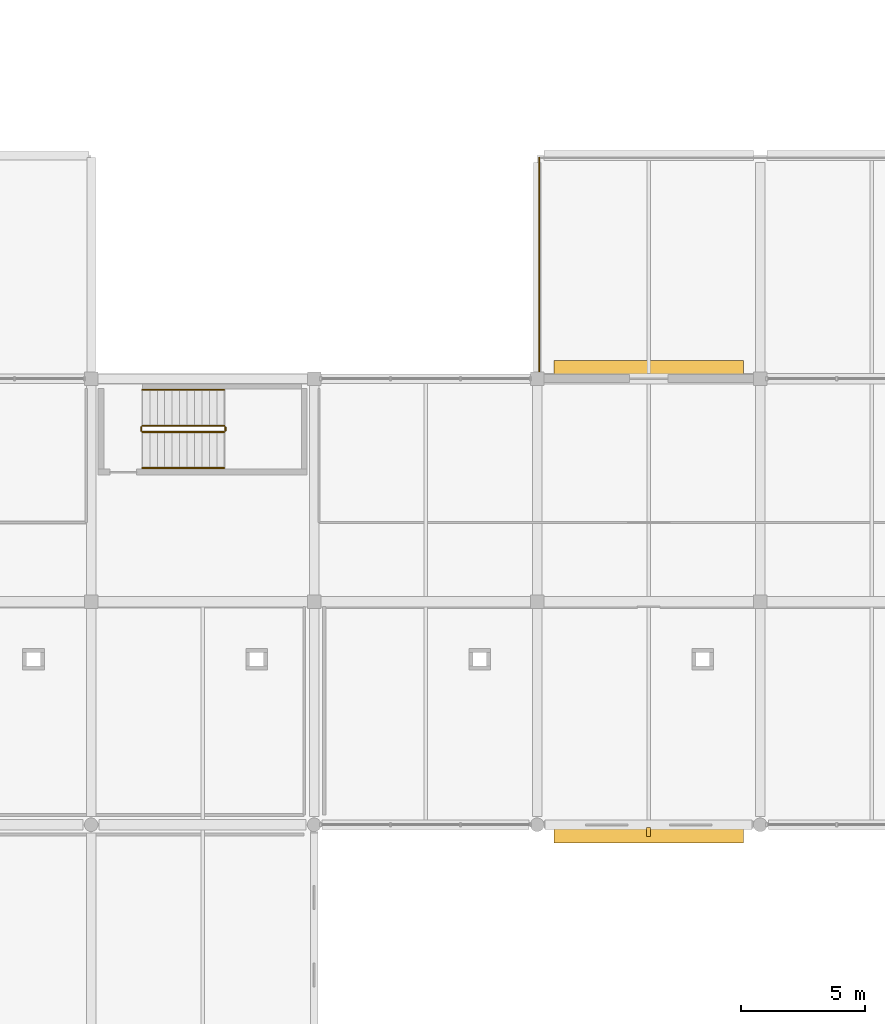
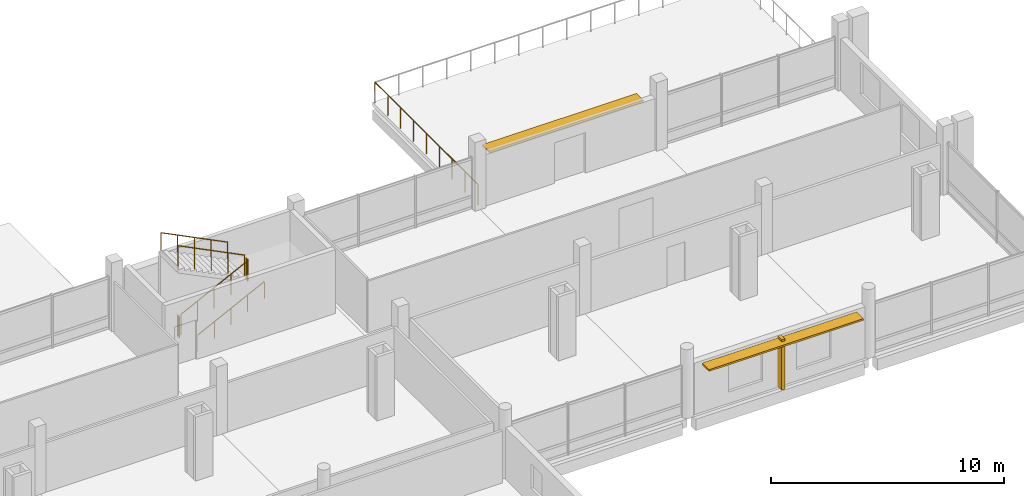
# One storey, part 128 of 132: 7 railings, 3 shading devices.
"""IFC4 building model written with IfcOpenShell, lengths in metres."""

import ifcopenshell
import ifcopenshell.guid

model = None  # the IFC model being written
_history = None  # IfcOwnerHistory: only IFC2X3 demands one
_inside = {}  # id of a spatial element -> (the spatial element, [elements in it])
_under = {}  # id of a project, library or spatial element -> (it, [spatial elements below it])
_declared = {}  # id of a project -> (the project, [libraries it declares])
_typed = {}  # id of a type object -> (the type object, [elements of that type])
_made_of = {}  # id of a material, layer set ... -> (it, [elements and type objects made of it])


def new_model(schema):
    """Start an empty IFC model of exactly this schema.

    Asked for "IFC4X3", IfcOpenShell would pick the latest addendum, in which some entities
    have other attributes; the version numbers below select the first issue.
    IFC2X3 requires an IfcOwnerHistory on every rooted entity: one is made here for all.
    """
    global model, _history
    if schema == "IFC4X3":
        model = ifcopenshell.file(schema_version=(4, 3, 0, 0))
    else:
        model = ifcopenshell.file(schema=schema)
    _inside.clear()
    _under.clear()
    _declared.clear()
    _typed.clear()
    _made_of.clear()
    _history = None
    if model.schema == "IFC2X3":
        org = make("IfcOrganization", Name="unknown")
        user = make(
            "IfcPersonAndOrganization",
            ThePerson=make("IfcPerson", FamilyName="unknown"),
            TheOrganization=org,
        )
        app = make(
            "IfcApplication",
            ApplicationDeveloper=org,
            Version="unknown",
            ApplicationFullName="unknown",
            ApplicationIdentifier="unknown",
        )
        _history = make(
            "IfcOwnerHistory",
            OwningUser=user,
            OwningApplication=app,
            ChangeAction="ADDED",
            CreationDate=0,
        )
    return model


def make(cls, **values):
    """One entity of the class cls with the attributes given. An attribute that is None is left unset."""
    return model.create_entity(
        cls, **{name: value for name, value in values.items() if value is not None}
    )


def rooted(cls, **values):
    """An entity with a GlobalId (a new one), such as an element, a storey or a relation."""
    return make(cls, GlobalId=ifcopenshell.guid.new(), OwnerHistory=_history, **values)


def si_unit(unit_type, name, prefix=None):
    """IfcSIUnit, for example si_unit("LENGTHUNIT", "METRE", prefix="MILLI")."""
    return make("IfcSIUnit", UnitType=unit_type, Prefix=prefix, Name=name)


def assignment(units):
    """IfcUnitAssignment: the units of a project."""
    return None if units is None else make("IfcUnitAssignment", Units=units)


def point(xyz):
    """IfcCartesianPoint."""
    return None if xyz is None else make("IfcCartesianPoint", Coordinates=xyz)


def direction(xyz):
    """IfcDirection."""
    return None if xyz is None else make("IfcDirection", DirectionRatios=xyz)


def frame(location, z_axis=None, x_axis=None):
    """IfcAxis2Placement3D, a coordinate frame: its origin and axes. An axis left out is left unset."""
    return make(
        "IfcAxis2Placement3D",
        Location=point(location),
        Axis=direction(z_axis),
        RefDirection=direction(x_axis),
    )


def frame_2d(location, x_axis=None):
    """IfcAxis2Placement2D, a coordinate frame in the plane: its origin and x axis."""
    return make(
        "IfcAxis2Placement2D", Location=point(location), RefDirection=direction(x_axis)
    )


def origin():
    """The frame at (0, 0, 0) with its axes left unset."""
    return frame((0.0, 0.0, 0.0))


def origin_2d():
    """The frame at (0, 0) in the plane with its x axis left unset."""
    return frame_2d((0.0, 0.0))


def place(relative_to, where):
    """IfcLocalPlacement: puts the frame where relative to a parent placement (None: the world)."""
    return make(
        "IfcLocalPlacement", PlacementRelTo=relative_to, RelativePlacement=where
    )


def context(
    kind, dimensions, precision=None, world=None, true_north=None, identifier=None
):
    """IfcGeometricRepresentationContext, for example the 3D "Model" context."""
    return make(
        "IfcGeometricRepresentationContext",
        ContextIdentifier=identifier,
        ContextType=kind,
        CoordinateSpaceDimension=dimensions,
        Precision=precision,
        WorldCoordinateSystem=world,
        TrueNorth=true_north,
    )


def subcontext(parent, identifier, kind, view, scale=None):
    """IfcGeometricRepresentationSubContext, for example "Body" below "Model"."""
    return make(
        "IfcGeometricRepresentationSubContext",
        ContextIdentifier=identifier,
        ContextType=kind,
        ParentContext=parent,
        TargetScale=scale,
        TargetView=view,
    )


def project(units=None, contexts=None):
    """IfcProject with its units and contexts."""
    return rooted(
        "IfcProject",
        Name="project",
        RepresentationContexts=contexts,
        UnitsInContext=assignment(units),
    )


def spatial(cls, under=None, at=None, **own):
    """A site, building, storey or space (cls), placed at a placement, below another one or the project."""
    s = rooted(cls, ObjectPlacement=at, **own)
    if under is not None:
        _under.setdefault(under.id(), (under, []))[1].append(s)
    return s


def profile(cls, at=None, kind="AREA", **sizes):
    """A parametric profile (cls). Its sizes go by their IFC names, for example OverallWidth=200.0."""
    return make(cls, ProfileType=kind, Position=at, **sizes)


def rectangle(**sizes):
    """IfcRectangleProfileDef."""
    return profile("IfcRectangleProfileDef", **sizes)


def circle(**sizes):
    """IfcCircleProfileDef."""
    return profile("IfcCircleProfileDef", **sizes)


def extrude(swept, where, along, depth):
    """IfcExtrudedAreaSolid: the profile swept, set in the frame where, extruded along a direction by depth."""
    return make(
        "IfcExtrudedAreaSolid",
        SweptArea=swept,
        Position=where,
        ExtrudedDirection=direction(along),
        Depth=depth,
    )


def shape(context_of_items, identifier, shape_type, items):
    """IfcShapeRepresentation: the items that make up one representation, for example the "Body"."""
    return make(
        "IfcShapeRepresentation",
        ContextOfItems=context_of_items,
        RepresentationIdentifier=identifier,
        RepresentationType=shape_type,
        Items=items,
    )


def material(Name=None, Category=None):
    """IfcMaterial."""
    return make("IfcMaterial", Name=Name, Category=Category)


def layer(
    of_material, thickness, ventilated=None, Name=None, Category=None, Priority=None
):
    """IfcMaterialLayer: one layer of a wall or slab, of a material (None: an air gap)."""
    return make(
        "IfcMaterialLayer",
        Material=of_material,
        LayerThickness=thickness,
        IsVentilated=ventilated,
        Name=Name,
        Category=Category,
        Priority=Priority,
    )


def layer_set(layers, Name=None):
    """IfcMaterialLayerSet."""
    return make("IfcMaterialLayerSet", MaterialLayers=layers, LayerSetName=Name)


def made_of(thing, what):
    """Note that an element or type object is made of a material, layer set ...; save() writes the relation."""
    if what is not None:
        _made_of.setdefault(what.id(), (what, []))[1].append(thing)
    return thing


def type_object(cls, material=None, **own):
    """A type object (cls), such as IfcWallType, which elements share."""
    return made_of(rooted(cls, **own), material)


def element(
    cls,
    number,
    at=None,
    inside=None,
    cuts=None,
    type_object=None,
    material=None,
    context=None,
    identifier="Body",
    shape_type=None,
    held_by="IfcProductDefinitionShape",
    body=None,
    shapes=None,
    **own,
):
    """One element of the class cls, such as IfcWall. Its Tag is "e" and its number.

    at: its placement. inside: the storey or other place that contains it. cuts: it is an
    opening in that element (IfcRelVoidsElement). A single representation is given by context,
    identifier, shape_type and body (its items); several are given by shapes. held_by: the class
    of the entity that holds the representations. save() writes the other relations.
    """
    e = rooted(cls, Tag="e%d" % number, ObjectPlacement=at, **own)
    if body is not None:
        shapes = [shape(context, identifier, shape_type, body)]
    if shapes is not None:
        e.Representation = make(held_by, Representations=shapes)
    if inside is not None:
        _inside.setdefault(inside.id(), (inside, []))[1].append(e)
    if cuts is not None:
        rooted(
            "IfcRelVoidsElement", RelatingBuildingElement=cuts, RelatedOpeningElement=e
        )
    if type_object is not None:
        _typed.setdefault(type_object.id(), (type_object, []))[1].append(e)
    return made_of(e, material)


def aggregate(whole, parts):
    """IfcRelAggregates: a whole, such as a stair, and the parts it consists of."""
    return rooted("IfcRelAggregates", RelatingObject=whole, RelatedObjects=parts)


def save(model, path):
    """Write the relations noted so far, then the file.

    IfcRelAggregates (storeys below a building ...), IfcRelContainedInSpatialStructure (elements
    in a storey), IfcRelDefinesByType, IfcRelAssociatesMaterial and IfcRelDeclares: one each for
    every whole, place, type object, material and project.
    """
    for whole, parts in _under.values():
        aggregate(whole, parts)
    for where, things in _inside.values():
        rooted(
            "IfcRelContainedInSpatialStructure",
            RelatedElements=things,
            RelatingStructure=where,
        )
    for kind, things in _typed.values():
        rooted("IfcRelDefinesByType", RelatedObjects=things, RelatingType=kind)
    for what, things in _made_of.values():
        rooted("IfcRelAssociatesMaterial", RelatedObjects=things, RelatingMaterial=what)
    for by, libraries in _declared.values():
        rooted("IfcRelDeclares", RelatingContext=by, RelatedDefinitions=libraries)
    model.write(path)


model = new_model("IFC4")

# Units and contexts
model_context = context("Model", 3, precision=1e-05, world=origin(), true_north=direction((0.0, 1.0)))
body_context = subcontext(model_context, "Body", "Model", "MODEL_VIEW")
ifc_project = project(units=[si_unit("LENGTHUNIT", "METRE"), si_unit("AREAUNIT", "SQUARE_METRE"), si_unit("VOLUMEUNIT", "CUBIC_METRE"), si_unit("PLANEANGLEUNIT", "RADIAN"), si_unit("MASSUNIT", "GRAM", prefix="KILO")], contexts=[model_context])

# Site, building, storey
site_placement = place(None, origin())
site = spatial("IfcSite", under=ifc_project, at=site_placement, CompositionType="ELEMENT")
building_placement = place(site_placement, origin())
building = spatial("IfcBuilding", under=site, at=building_placement, Name="Tharagai Park Tramway Depot", CompositionType="ELEMENT")
storey_placement = place(building_placement, frame((0.0, 0.0, 4.800048828125)))
storey = spatial("IfcBuildingStorey", under=building, at=storey_placement, Name="L01", CompositionType="ELEMENT", Elevation=4.800048828125)

# Railings
ifc_material_1 = material(Name="Galvanised steel", Category="steel")
railing_type_1 = type_object("IfcRailingType", Name="GR-01", PredefinedType="BALUSTRADE", material=ifc_material_1)
railing_1_placement = place(storey_placement, frame((198.080078125, 27.080078125, 0.0)))
element("IfcRailing", 1, at=railing_1_placement, inside=storey, type_object=railing_type_1, Name="Park Loggia Terrace Perimeter Guard W", PredefinedType="BALUSTRADE", context=body_context, shape_type="SweptSolid", body=[
    extrude(circle(Radius=0.02392578125, at=origin_2d()), frame((0.0, 0.0, 1.076171875), z_axis=(0.0, 1.0, 0.0), x_axis=(-1.0, 0.0, 0.0)), (0.0, 0.0, 1.0), 8.83984375),
    extrude(circle(Radius=0.02099609375, at=origin_2d()), origin(), (0.0, 0.0, 1.0), 1.052001953125),
    extrude(circle(Radius=0.02099609375, at=origin_2d()), frame((0.0, 1.10498046875, 0.0)), (0.0, 0.0, 1.0), 1.052001953125),
    extrude(circle(Radius=0.02099609375, at=origin_2d()), frame((0.0, 2.2099609375, 0.0)), (0.0, 0.0, 1.0), 1.052001953125),
    extrude(circle(Radius=0.02099609375, at=origin_2d()), frame((0.0, 3.31494140625, 0.0)), (0.0, 0.0, 1.0), 1.052001953125),
    extrude(circle(Radius=0.02099609375, at=origin_2d()), frame((0.0, 4.419921875, 0.0)), (0.0, 0.0, 1.0), 1.052001953125),
    extrude(circle(Radius=0.02099609375, at=origin_2d()), frame((0.0, 5.52490234375, 0.0)), (0.0, 0.0, 1.0), 1.052001953125),
    extrude(circle(Radius=0.02099609375, at=origin_2d()), frame((0.0, 6.6298828125, 0.0)), (0.0, 0.0, 1.0), 1.052001953125),
    extrude(circle(Radius=0.02099609375, at=origin_2d()), frame((0.0, 7.73486328125, 0.0)), (0.0, 0.0, 1.0), 1.052001953125),
    extrude(circle(Radius=0.02099609375, at=origin_2d()), frame((0.0, 8.83984375, 0.0)), (0.0, 0.0, 1.0), 1.052001953125),
])
railing_type_2 = type_object("IfcRailingType", Name="HR-02", PredefinedType="GUARDRAIL", material=ifc_material_1)
railing_2_placement = place(storey_placement, frame((182.070068359375, 24.85009765625, 0.14990234375)))
element("IfcRailing", 2, at=railing_2_placement, inside=storey, type_object=railing_type_2, Name="L01 ST-07 stair guard 1", PredefinedType="GUARDRAIL", context=body_context, shape_type="SweptSolid", body=[
    extrude(circle(Radius=0.02392578125, at=origin_2d()), frame((0.0, 0.0, 1.076171875), z_axis=(0.894413956696, 0.0, 0.447240063129), x_axis=(0.0, 1.0, 0.0)), (0.0, 0.0, 1.0), 3.689697265625),
    extrude(circle(Radius=0.02099609375, at=origin_2d()), origin(), (0.0, 0.0, 1.0), 1.052001953125),
    extrude(circle(Radius=0.02099609375, at=origin_2d()), frame((0.824951171875, 0.0, 0.41259765625)), (0.0, 0.0, 1.0), 1.052001953125),
    extrude(circle(Radius=0.02099609375, at=origin_2d()), frame((1.64990234375, 0.0, 0.8251953125)), (0.0, 0.0, 1.0), 1.052001953125),
    extrude(circle(Radius=0.02099609375, at=origin_2d()), frame((2.47509765625, 0.0, 1.237548828125)), (0.0, 0.0, 1.0), 1.052001953125),
    extrude(circle(Radius=0.02099609375, at=origin_2d()), frame((3.300048828125, 0.0, 1.650146484375)), (0.0, 0.0, 1.0), 1.052001953125),
])
railing_3_placement = place(storey_placement, frame((185.419921875, 24.89990234375, 1.800048828125)))
element("IfcRailing", 3, at=railing_3_placement, inside=storey, type_object=railing_type_2, Name="L01 ST-07 stair guard 2", PredefinedType="GUARDRAIL", context=body_context, shape_type="SweptSolid", body=[
    extrude(circle(Radius=0.02392578125, at=origin_2d()), frame((0.0, 0.0, 1.076171875), z_axis=(0.0, 1.0, 0.0), x_axis=(-1.0, 0.0, 0.0)), (0.0, 0.0, 1.0), 0.150146484375),
    extrude(circle(Radius=0.02099609375, at=origin_2d()), origin(), (0.0, 0.0, 1.0), 1.052001953125),
    extrude(circle(Radius=0.02099609375, at=origin_2d()), frame((0.0, 0.150146484375, 0.0)), (0.0, 0.0, 1.0), 1.052001953125),
])
railing_4_placement = place(storey_placement, frame((185.3701171875, 25.10009765625, 1.949951171875)))
element("IfcRailing", 4, at=railing_4_placement, inside=storey, type_object=railing_type_2, Name="L01 ST-07 stair guard 3", PredefinedType="GUARDRAIL", context=body_context, shape_type="SweptSolid", body=[
    extrude(circle(Radius=0.02392578125, at=origin_2d()), frame((0.0, 0.0, 1.076171875), z_axis=(-0.894440424912, 0.0, 0.447187126696), x_axis=(0.0, -1.0, 0.0)), (0.0, 0.0, 1.0), 3.689453125),
    extrude(circle(Radius=0.02099609375, at=origin_2d()), origin(), (0.0, 0.0, 1.0), 1.052001953125),
    extrude(circle(Radius=0.02099609375, at=origin_2d()), frame((-0.824951171875, 0.0, 0.41259765625)), (0.0, 0.0, 1.0), 1.052001953125),
    extrude(circle(Radius=0.02099609375, at=origin_2d()), frame((-1.64990234375, 0.0, 0.824951171875)), (0.0, 0.0, 1.0), 1.052001953125),
    extrude(circle(Radius=0.02099609375, at=origin_2d()), frame((-2.47509765625, 0.0, 1.2373046875)), (0.0, 0.0, 1.0), 1.052001953125),
    extrude(circle(Radius=0.02099609375, at=origin_2d()), frame((-3.300048828125, 0.0, 1.64990234375)), (0.0, 0.0, 1.0), 1.052001953125),
])
railing_5_placement = place(storey_placement, frame((182.02001953125, 24.89990234375, 0.0)))
element("IfcRailing", 5, at=railing_5_placement, inside=storey, type_object=railing_type_2, Name="L01 ST-07 stair guard 4", PredefinedType="GUARDRAIL", context=body_context, shape_type="SweptSolid", body=[
    extrude(circle(Radius=0.02392578125, at=origin_2d()), frame((0.0, 0.0, 1.076171875), z_axis=(0.0, 1.0, 0.0), x_axis=(-1.0, 0.0, 0.0)), (0.0, 0.0, 1.0), 0.150146484375),
    extrude(circle(Radius=0.02099609375, at=origin_2d()), origin(), (0.0, 0.0, 1.0), 1.052001953125),
    extrude(circle(Radius=0.02099609375, at=origin_2d()), frame((0.0, 0.150146484375, 0.0)), (0.0, 0.0, 1.0), 1.052001953125),
])
railing_type_3 = type_object("IfcRailingType", Name="HR-03", PredefinedType="HANDRAIL", material=ifc_material_1)
railing_6_placement = place(storey_placement, frame((182.070068359375, 23.39990234375, 0.14990234375)))
element("IfcRailing", 6, at=railing_6_placement, inside=storey, type_object=railing_type_3, Name="L01 ST-07 stair handrail 1", PredefinedType="HANDRAIL", context=body_context, shape_type="SweptSolid", body=[
    extrude(circle(Radius=0.02392578125, at=origin_2d()), frame((0.0, 0.0, 0.8759765625), z_axis=(0.894413956696, 0.0, 0.447240063129), x_axis=(0.0, 1.0, 0.0)), (0.0, 0.0, 1.0), 3.689697265625),
    extrude(circle(Radius=0.02099609375, at=origin_2d()), origin(), (0.0, 0.0, 1.0), 0.851806640625),
    extrude(circle(Radius=0.02099609375, at=origin_2d()), frame((0.824951171875, 0.0, 0.41259765625)), (0.0, 0.0, 1.0), 0.851806640625),
    extrude(circle(Radius=0.02099609375, at=origin_2d()), frame((1.64990234375, 0.0, 0.8251953125)), (0.0, 0.0, 1.0), 0.851806640625),
    extrude(circle(Radius=0.02099609375, at=origin_2d()), frame((2.47509765625, 0.0, 1.237548828125)), (0.0, 0.0, 1.0), 0.851806640625),
    extrude(circle(Radius=0.02099609375, at=origin_2d()), frame((3.300048828125, 0.0, 1.650146484375)), (0.0, 0.0, 1.0), 0.851806640625),
])
railing_7_placement = place(storey_placement, frame((185.3701171875, 26.550048828125, 1.949951171875)))
element("IfcRailing", 7, at=railing_7_placement, inside=storey, type_object=railing_type_3, Name="L01 ST-07 stair handrail 2", PredefinedType="HANDRAIL", context=body_context, shape_type="SweptSolid", body=[
    extrude(circle(Radius=0.02392578125, at=origin_2d()), frame((0.0, 0.0, 0.8759765625), z_axis=(-0.894440424912, 0.0, 0.447187126696), x_axis=(0.0, -1.0, 0.0)), (0.0, 0.0, 1.0), 3.689453125),
    extrude(circle(Radius=0.02099609375, at=origin_2d()), origin(), (0.0, 0.0, 1.0), 0.851806640625),
    extrude(circle(Radius=0.02099609375, at=origin_2d()), frame((-0.824951171875, 0.0, 0.41259765625)), (0.0, 0.0, 1.0), 0.851806640625),
    extrude(circle(Radius=0.02099609375, at=origin_2d()), frame((-1.64990234375, 0.0, 0.824951171875)), (0.0, 0.0, 1.0), 0.851806640625),
    extrude(circle(Radius=0.02099609375, at=origin_2d()), frame((-2.47509765625, 0.0, 1.2373046875)), (0.0, 0.0, 1.0), 0.851806640625),
    extrude(circle(Radius=0.02099609375, at=origin_2d()), frame((-3.300048828125, 0.0, 1.64990234375)), (0.0, 0.0, 1.0), 0.851806640625),
])

# Shading devices
ifc_material_2 = material(Name="Anodised aluminium", Category="aluminium")
ifc_layer_1 = layer(ifc_material_2, 0.090087890625)
ifc_layer_set_1 = layer_set([ifc_layer_1], Name="Anodised aluminium")
shading_device_type_1 = type_object("IfcShadingDeviceType", Name="SD-01", PredefinedType="SHUTTER", material=ifc_layer_set_1)
for number, where, z_axis, x_axis, name in (
    (8, (202.5, 8.56005859375, 2.47705078125), (0.0, 0.0, 1.0), (1.0, 0.0, 0.0), "Monsoon Storm Louvre Hood SD-01 #9"),
    (9, (202.5, 27.43994140625, 2.47705078125), (0.0, 0.0, 1.0), (1.0, 0.0, 0.0), "Monsoon Storm Louvre Hood SD-01 #14"),
):
    element("IfcShadingDevice", number, at=place(storey_placement, frame(where, z_axis=z_axis, x_axis=x_axis)), inside=storey, type_object=shading_device_type_1, Name=name, PredefinedType="SHUTTER", context=body_context, shape_type="SweptSolid", body=[
        extrude(rectangle(XDim=7.654052734375, YDim=0.580078125, at=origin_2d()), origin(), (0.0, 0.0, 1.0), 0.090087890625),
    ])
ifc_material_3 = material(Name="Charnockite stone", Category="masonry")
ifc_layer_2 = layer(ifc_material_3, 0.159912109375)
ifc_layer_set_2 = layer_set([ifc_layer_2], Name="Charnockite stone")
shading_device_type_2 = type_object("IfcShadingDeviceType", Name="SD-02", PredefinedType="JALOUSIE", material=ifc_layer_set_2)
shading_device_placement = place(storey_placement, frame((202.5, 8.699951171875, 0.02978515625), z_axis=(0.0, 0.0, 1.0), x_axis=(1.0, 0.0, 0.0)))
element("IfcShadingDevice", 10, at=shading_device_placement, inside=storey, type_object=shading_device_type_2, Name="Charnockite Gothic Lancet Mullion Fin SD-02 #9", PredefinedType="JALOUSIE", context=body_context, shape_type="SweptSolid", body=[
    extrude(rectangle(XDim=0.159912109375, YDim=0.360107421875, at=origin_2d()), origin(), (0.0, 0.0, 1.0), 2.64208984375),
])

save(model, "model.ifc")
